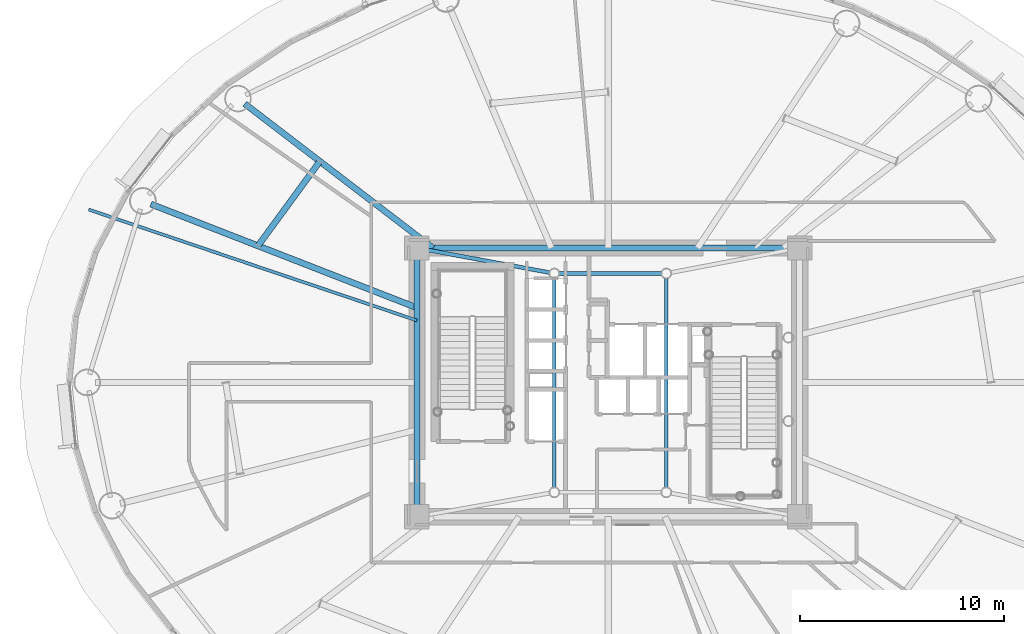
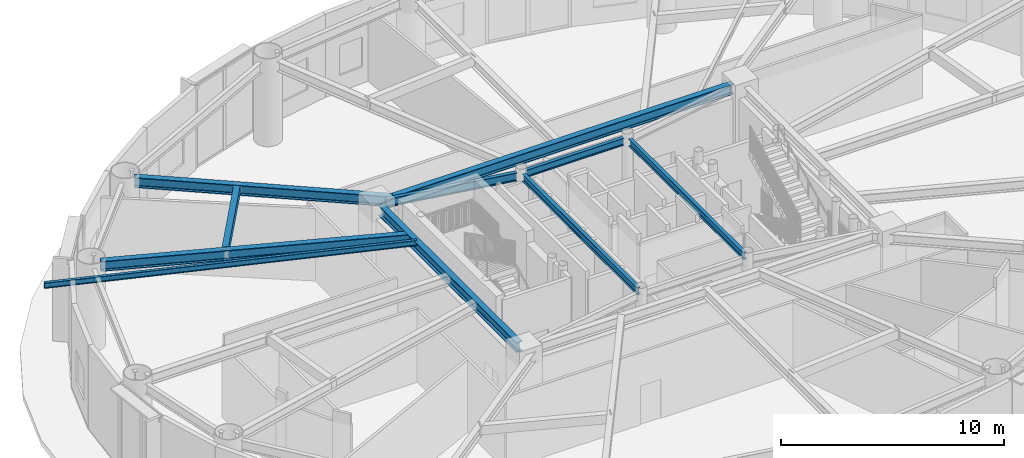
# One storey, part 11 of 38: 10 beams.
"""IFC4 building model written with IfcOpenShell, lengths in metres."""

from ifc_helpers import new_model, si_unit, direction, frame, origin, origin_2d, place, context, subcontext, project, spatial, hollow_rectangle, i_section, extrude, material, material_profile, profile_set, type_object, element, save


model = new_model("IFC4")

# Units and contexts
model_context = context("Model", 3, precision=1e-05, world=origin(), true_north=direction((0.0, 1.0)))
body_context = subcontext(model_context, "Body", "Model", "MODEL_VIEW")
ifc_project = project(units=[si_unit("LENGTHUNIT", "METRE"), si_unit("AREAUNIT", "SQUARE_METRE"), si_unit("VOLUMEUNIT", "CUBIC_METRE"), si_unit("PLANEANGLEUNIT", "RADIAN"), si_unit("MASSUNIT", "GRAM", prefix="KILO")], contexts=[model_context])

# Site, building, storey
site_placement = place(None, origin())
site = spatial("IfcSite", under=ifc_project, at=site_placement, CompositionType="ELEMENT")
building_placement = place(site_placement, origin())
building = spatial("IfcBuilding", under=site, at=building_placement, Name="Linh Dai School and Residence Tower", CompositionType="ELEMENT")
storey_placement = place(building_placement, frame((0.0, 0.0, 151.35009765625)))
storey = spatial("IfcBuildingStorey", under=building, at=storey_placement, Name="L36", CompositionType="ELEMENT", Elevation=151.35009765625)

# Beams
ifc_material = material(Name="Structural Steel S355JR", Category="steel")
ifc_material_profile_1 = material_profile(ifc_material, i_section(OverallWidth=0.14990234375, OverallDepth=0.300048828125, WebThickness=0.007080078125, FlangeThickness=0.0107421875, at=origin_2d()), Name="IPE 300")
ifc_profile_set_1 = profile_set([ifc_material_profile_1], Name="Structural Steel S355JR")
beam_type_1 = type_object("IfcBeamType", Name="BM-BALC-CANT", PredefinedType="BEAM", material=ifc_profile_set_1)
beam_1_placement = place(storey_placement, frame((26.60009765625, 30.04052734375, 4.39990234375), z_axis=(-0.947372863689, 0.320132249461, 0.0), x_axis=(-0.320132249461, -0.947372863689, 0.0)))
element("IfcBeam", 1, at=beam_1_placement, inside=storey, type_object=beam_type_1, Name="L37 Balcony Continuous Cantilever Beam 18", PredefinedType="BEAM", context=body_context, shape_type="SweptSolid", body=[
    extrude(i_section(OverallWidth=0.14990234375, OverallDepth=0.300048828125, WebThickness=0.007080078125, FlangeThickness=0.0107421875, at=origin_2d()), origin(), (0.0, 0.0, 1.0), 17.02099609375),
])
ifc_material_profile_2 = material_profile(ifc_material, hollow_rectangle(XDim=0.300048828125, YDim=0.5, WallThickness=0.01611328125, at=origin_2d()), Name="RHS 500x300x16")
ifc_profile_set_2 = profile_set([ifc_material_profile_2], Name="Structural Steel S355JR")
beam_type_2 = type_object("IfcBeamType", Name="BM-BX5", PredefinedType="BEAM", material=ifc_profile_set_2)
beam_2_placement = place(storey_placement, frame((21.828125, 37.854248046875, 4.2998046875), z_axis=(-0.59077809598, -0.806834085367, 0.0), x_axis=(0.806834085367, -0.59077809598, 0.0)))
element("IfcBeam", 2, at=beam_2_placement, inside=storey, type_object=beam_type_2, Name="L36 Secondary Circumferential Floor Beam 04", PredefinedType="BEAM", context=body_context, shape_type="SweptSolid", body=[
    extrude(hollow_rectangle(XDim=0.300048828125, YDim=0.5, WallThickness=0.01611328125, at=origin_2d()), origin(), (0.0, 0.0, 1.0), 5.134765625),
])
ifc_material_profile_3 = material_profile(ifc_material, i_section(OverallWidth=0.300048828125, OverallDepth=0.550048828125, WebThickness=0.014892578125, FlangeThickness=0.029052734375, FilletRadius=0.027099609375, at=origin_2d()), Name="HEB 550")
ifc_profile_set_3 = profile_set([ifc_material_profile_3], Name="Structural Steel S355JR")
beam_type_3 = type_object("IfcBeamType", Name="BM-RG55", PredefinedType="BEAM", material=ifc_profile_set_3)
beam_3_placement = place(storey_placement, frame((44.97998046875, 33.60009765625, 4.27490234375), z_axis=(-1.0, 0.0, 0.0), x_axis=(0.0, -1.0, 0.0)))
element("IfcBeam", 3, at=beam_3_placement, inside=storey, type_object=beam_type_3, Name="L36 Core Perimeter Coupling Girder 3", PredefinedType="BEAM", context=body_context, shape_type="SweptSolid", body=[
    extrude(i_section(OverallWidth=0.300048828125, OverallDepth=0.550048828125, WebThickness=0.014892578125, FlangeThickness=0.029052734375, FilletRadius=0.027099609375, at=origin_2d()), origin(), (0.0, 0.0, 1.0), 17.9599609375),
])
beam_4_placement = place(storey_placement, frame((26.60009765625, 33.179931640625, 4.27490234375), z_axis=(0.0, -1.0, 0.0), x_axis=(1.0, 0.0, 0.0)))
element("IfcBeam", 4, at=beam_4_placement, inside=storey, type_object=beam_type_3, Name="L36 Core Perimeter Coupling Girder 4", PredefinedType="BEAM", context=body_context, shape_type="SweptSolid", body=[
    extrude(i_section(OverallWidth=0.300048828125, OverallDepth=0.550048828125, WebThickness=0.014892578125, FlangeThickness=0.029052734375, FilletRadius=0.027099609375, at=origin_2d()), origin(), (0.0, 0.0, 1.0), 12.35986328125),
])
beam_5_placement = place(storey_placement, frame((27.3876953125, 33.60009765625, 4.27490234375), z_axis=(-0.793732831925, 0.608266546445, 0.0), x_axis=(-0.608266546445, -0.793732831925, 0.0)))
element("IfcBeam", 5, at=beam_5_placement, inside=storey, type_object=beam_type_3, Name="L36 Primary Radial Floor Girder 07", PredefinedType="BEAM", context=body_context, shape_type="SweptSolid", body=[
    extrude(i_section(OverallWidth=0.300048828125, OverallDepth=0.550048828125, WebThickness=0.014892578125, FlangeThickness=0.029052734375, FilletRadius=0.027099609375, at=origin_2d()), origin(), (0.0, 0.0, 1.0), 11.64990234375),
])
beam_6_placement = place(storey_placement, frame((26.60009765625, 30.663818359375, 4.27490234375), z_axis=(-0.931722873254, 0.363170053081, 0.0), x_axis=(-0.363170053081, -0.931722873254, 0.0)))
element("IfcBeam", 6, at=beam_6_placement, inside=storey, type_object=beam_type_3, Name="L36 Primary Radial Floor Girder 08", PredefinedType="BEAM", context=body_context, shape_type="SweptSolid", body=[
    extrude(i_section(OverallWidth=0.300048828125, OverallDepth=0.550048828125, WebThickness=0.014892578125, FlangeThickness=0.029052734375, FilletRadius=0.027099609375, at=origin_2d()), origin(), (0.0, 0.0, 1.0), 14.029052734375),
])
ifc_material_profile_4 = material_profile(ifc_material, i_section(OverallWidth=0.179931640625, OverallDepth=0.39990234375, WebThickness=0.008544921875, FlangeThickness=0.013427734375, FilletRadius=0.02099609375, at=origin_2d()), Name="IPE 400")
ifc_profile_set_4 = profile_set([ifc_material_profile_4], Name="Structural Steel S355JR")
beam_type_4 = type_object("IfcBeamType", Name="BM-SB40", PredefinedType="BEAM", material=ifc_profile_set_4)
beam_7_placement = place(storey_placement, frame((38.85009765625, 21.823974609375, 4.349853515625), z_axis=(0.0, 1.0, 0.0), x_axis=(-1.0, 0.0, 0.0)))
element("IfcBeam", 7, at=beam_7_placement, inside=storey, type_object=beam_type_4, Name="L36 Core Mast Pier Tie Beam 2", PredefinedType="BEAM", context=body_context, shape_type="SweptSolid", body=[
    extrude(i_section(OverallWidth=0.179931640625, OverallDepth=0.39990234375, WebThickness=0.008544921875, FlangeThickness=0.013427734375, FilletRadius=0.02099609375, at=origin_2d()), origin(), (0.0, 0.0, 1.0), 10.302001953125),
])
beam_8_placement = place(storey_placement, frame((38.6259765625, 32.35009765625, 4.349853515625), z_axis=(-1.0, 0.0, 0.0), x_axis=(0.0, -1.0, 0.0)))
element("IfcBeam", 8, at=beam_8_placement, inside=storey, type_object=beam_type_4, Name="L36 Core Mast Pier Tie Beam 3", PredefinedType="BEAM", context=body_context, shape_type="SweptSolid", body=[
    extrude(i_section(OverallWidth=0.179931640625, OverallDepth=0.39990234375, WebThickness=0.008544921875, FlangeThickness=0.013427734375, FilletRadius=0.02099609375, at=origin_2d()), origin(), (0.0, 0.0, 1.0), 5.052001953125),
])
beam_9_placement = place(storey_placement, frame((33.35009765625, 32.1259765625, 4.349853515625), z_axis=(0.0, -1.0, 0.0), x_axis=(1.0, 0.0, 0.0)))
element("IfcBeam", 9, at=beam_9_placement, inside=storey, type_object=beam_type_4, Name="L36 Core Mast Pier Tie Beam 4", PredefinedType="BEAM", context=body_context, shape_type="SweptSolid", body=[
    extrude(i_section(OverallWidth=0.179931640625, OverallDepth=0.39990234375, WebThickness=0.008544921875, FlangeThickness=0.013427734375, FilletRadius=0.02099609375, at=origin_2d()), origin(), (0.0, 0.0, 1.0), 10.302001953125),
])
ifc_material_profile_5 = material_profile(ifc_material, i_section(OverallWidth=0.18994140625, OverallDepth=0.449951171875, WebThickness=0.009521484375, FlangeThickness=0.0146484375, FilletRadius=0.02099609375, at=origin_2d()), Name="IPE 450")
ifc_profile_set_5 = profile_set([ifc_material_profile_5], Name="Structural Steel S355JR")
beam_type_5 = type_object("IfcBeamType", Name="BM-SB45", PredefinedType="BEAM", material=ifc_profile_set_5)
beam_10_placement = place(storey_placement, frame((27.012939453125, 33.5234375, 4.324951171875), z_axis=(0.983286429055, -0.182065368579, 0.0), x_axis=(0.182065368579, 0.983286429055, 0.0)))
element("IfcBeam", 10, at=beam_10_placement, inside=storey, type_object=beam_type_5, Name="L36 Core Corner-to-Mast Pier Beam 4", PredefinedType="BEAM", context=body_context, shape_type="SweptSolid", body=[
    extrude(i_section(OverallWidth=0.18994140625, OverallDepth=0.449951171875, WebThickness=0.009521484375, FlangeThickness=0.0146484375, FilletRadius=0.02099609375, at=origin_2d()), origin(), (0.0, 0.0, 1.0), 6.220703125),
])

save(model, "model.ifc")
